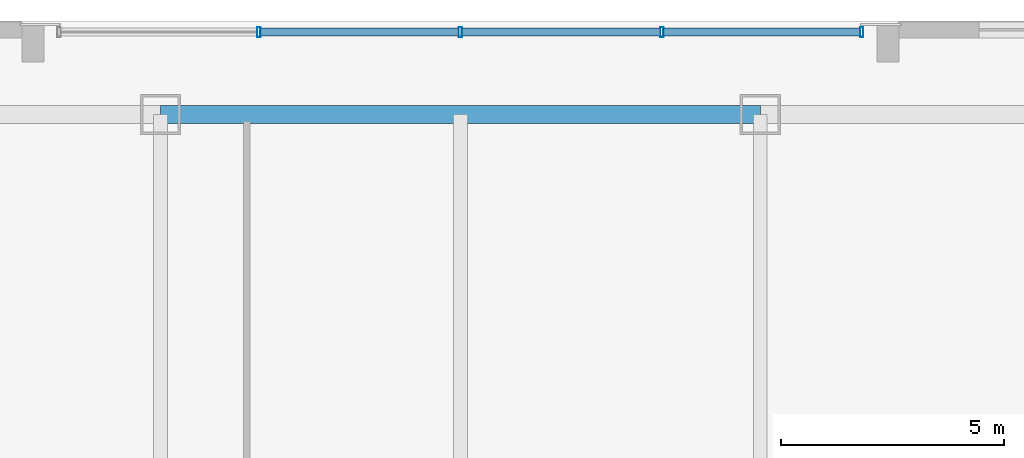
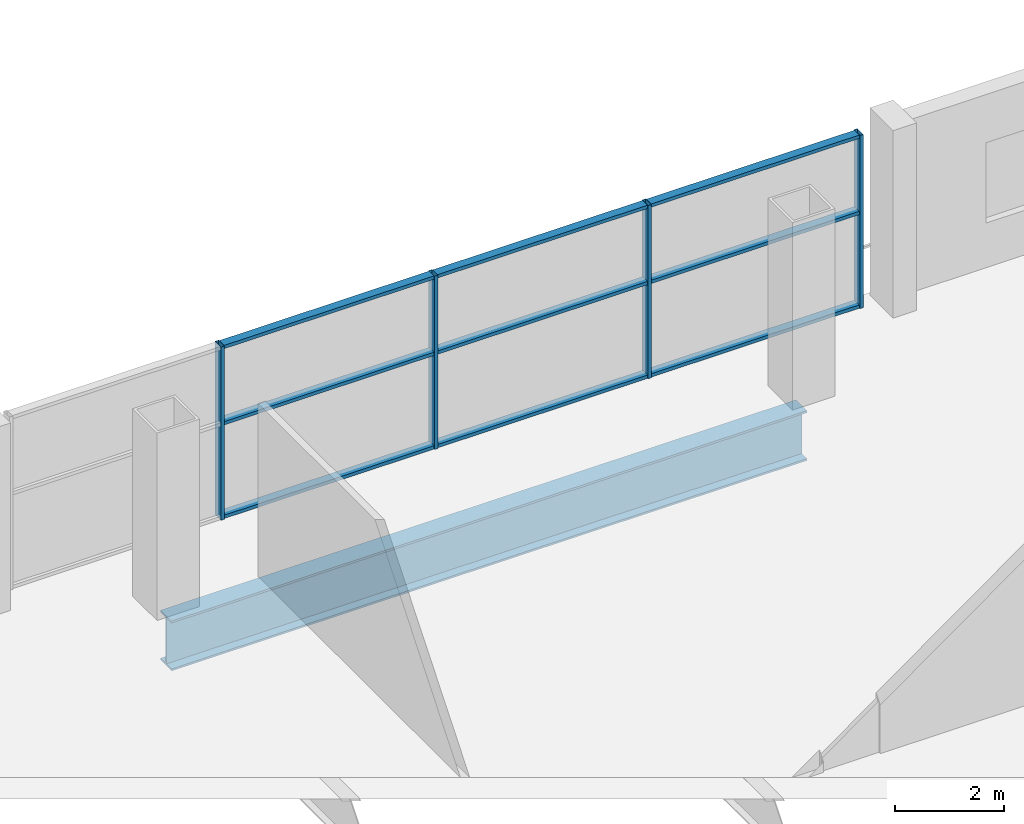
# One storey, part 10 of 21: 13 members, 1 beam, 1 element without a shape of its own.
"""IFC4 building model written with IfcOpenShell, lengths in metres."""

from ifc_helpers import new_model, si_unit, direction, frame, origin, origin_2d, place, context, subcontext, project, spatial, hollow_rectangle, i_section, extrude, material, layer, layer_set, material_profile, profile_set, type_object, element, aggregate, save


model = new_model("IFC4")

# Units and contexts
model_context = context("Model", 3, precision=1e-05, world=origin(), true_north=direction((0.0, 1.0)))
body_context = subcontext(model_context, "Body", "Model", "MODEL_VIEW")
ifc_project = project(units=[si_unit("LENGTHUNIT", "METRE"), si_unit("AREAUNIT", "SQUARE_METRE"), si_unit("VOLUMEUNIT", "CUBIC_METRE"), si_unit("PLANEANGLEUNIT", "RADIAN"), si_unit("MASSUNIT", "GRAM", prefix="KILO")], contexts=[model_context])

# Site, building, storey
site_placement = place(None, origin())
site = spatial("IfcSite", under=ifc_project, at=site_placement, CompositionType="ELEMENT")
building_placement = place(site_placement, origin())
building = spatial("IfcBuilding", under=site, at=building_placement, Name="Qhalaya Broadcast Tower", CompositionType="ELEMENT")
storey_placement = place(building_placement, frame((0.0, 0.0, 13.5)))
storey = spatial("IfcBuildingStorey", under=building, at=storey_placement, Name="L03", CompositionType="ELEMENT", Elevation=13.5)

# Beam
ifc_material_1 = material(Name="Structural Steel ASTM A992 Grade 50", Category="steel")
ifc_material_profile_1 = material_profile(ifc_material_1, i_section(OverallWidth=0.404052734375, OverallDepth=1.117919921875, WebThickness=0.026123046875, FlangeThickness=0.044921875, at=origin_2d()), Name="W44X335")
ifc_profile_set_1 = profile_set([ifc_material_profile_1], Name="Structural Steel ASTM A992 Grade 50")
beam_type = type_object("IfcBeamType", Name="Podium Long-Span Primary Girder PG1", PredefinedType="USERDEFINED", material=ifc_profile_set_1)
beam_placement = place(storey_placement, frame((6.7333984375, 25.89990234375, -0.87890625), z_axis=(-1.0, 0.0, 0.0), x_axis=(0.0, -1.0, 0.0)))
element("IfcBeam", 1, at=beam_placement, inside=storey, type_object=beam_type, Name="L03 PG1 L03-PG-R10", ObjectType="GIRDER", PredefinedType="USERDEFINED", context=body_context, shape_type="SweptSolid", body=[
    extrude(i_section(OverallWidth=0.404052734375, OverallDepth=1.117919921875, WebThickness=0.026123046875, FlangeThickness=0.044921875, at=origin_2d()), origin(), (0.0, 0.0, 1.0), 13.466796875),
])

# Curtain wall, members
ifc_material_2 = material(Name="Solar-Control Low-E Triple Glazing", Category="glass")
ifc_layer = layer(ifc_material_2, 0.219970703125, Name="Solar-Control Low-E Triple Glazing")
ifc_layer_set = layer_set([ifc_layer], Name="Solar-Control Low-E Triple Glazing")
curtain_wall_type = type_object("IfcCurtainWallType", Name="Podium Concourse Triple-Height Glazed Portal CW-01", PredefinedType="NOTDEFINED", material=ifc_layer_set)
curtain_wall_placement = place(storey_placement, origin())
curtain_wall = element("IfcCurtainWall", 2, at=curtain_wall_placement, inside=storey, type_object=curtain_wall_type, Name="L03 Unitised Curtain Wall L03-CW01-N", PredefinedType="NOTDEFINED")
ifc_material_3 = material(Name="Anodised Aluminium 6063-T6", Category="aluminium")
ifc_material_profile_2 = material_profile(ifc_material_3, hollow_rectangle(XDim=0.074951171875, YDim=0.219970703125, WallThickness=0.00390625, at=origin_2d()), Name="ALU-MUL 75x220x4")
ifc_profile_set_2 = profile_set([ifc_material_profile_2], Name="Anodised Aluminium 6063-T6")
member_type_1 = type_object("IfcMemberType", Name="Unitised Curtain-Wall Mullion M01", PredefinedType="MULLION", material=ifc_profile_set_2)
member_1_placement = place(storey_placement, frame((9.012451171875, 27.75, 0.0), z_axis=(0.0, 0.0, 1.0), x_axis=(-1.0, 0.0, 0.0)))
member_1 = element("IfcMember", 3, at=member_1_placement, type_object=member_type_1, Name="CW-01 mullion 1", PredefinedType="MULLION", context=body_context, shape_type="SweptSolid", body=[
    extrude(hollow_rectangle(XDim=0.074951171875, YDim=0.219970703125, WallThickness=0.00390625, at=origin_2d()), origin(), (0.0, 0.0, 1.0), 3.8798828125),
])
member_2_placement = place(storey_placement, frame((4.52490234375, 27.75, 0.0), z_axis=(0.0, 0.0, 1.0), x_axis=(-1.0, 0.0, 0.0)))
member_2 = element("IfcMember", 4, at=member_2_placement, type_object=member_type_1, Name="CW-01 mullion 2", PredefinedType="MULLION", context=body_context, shape_type="SweptSolid", body=[
    extrude(hollow_rectangle(XDim=0.074951171875, YDim=0.219970703125, WallThickness=0.00390625, at=origin_2d()), origin(), (0.0, 0.0, 1.0), 3.8798828125),
])
member_3_placement = place(storey_placement, frame((0.0, 27.75, 0.0), z_axis=(0.0, 0.0, 1.0), x_axis=(-1.0, 0.0, 0.0)))
member_3 = element("IfcMember", 5, at=member_3_placement, type_object=member_type_1, Name="CW-01 mullion 3", PredefinedType="MULLION", context=body_context, shape_type="SweptSolid", body=[
    extrude(hollow_rectangle(XDim=0.074951171875, YDim=0.219970703125, WallThickness=0.00390625, at=origin_2d()), origin(), (0.0, 0.0, 1.0), 3.8798828125),
])
member_4_placement = place(storey_placement, frame((-4.52490234375, 27.75, 0.0), z_axis=(0.0, 0.0, 1.0), x_axis=(-1.0, 0.0, 0.0)))
member_4 = element("IfcMember", 6, at=member_4_placement, type_object=member_type_1, Name="CW-01 mullion 4", PredefinedType="MULLION", context=body_context, shape_type="SweptSolid", body=[
    extrude(hollow_rectangle(XDim=0.074951171875, YDim=0.219970703125, WallThickness=0.00390625, at=origin_2d()), origin(), (0.0, 0.0, 1.0), 3.8798828125),
])
ifc_material_profile_3 = material_profile(ifc_material_3, hollow_rectangle(XDim=0.074951171875, YDim=0.179931640625, WallThickness=0.00390625, at=origin_2d()), Name="ALU-TRN 75x180x4")
ifc_profile_set_3 = profile_set([ifc_material_profile_3], Name="Anodised Aluminium 6063-T6")
member_type_2 = type_object("IfcMemberType", Name="Unitised Curtain-Wall Transom T01", PredefinedType="USERDEFINED", material=ifc_profile_set_3)
member_5_placement = place(storey_placement, frame((8.97509765625, 27.75, 0.03759765625), z_axis=(-1.0, 0.0, 0.0), x_axis=(0.0, 0.0, 1.0)))
member_5 = element("IfcMember", 7, at=member_5_placement, type_object=member_type_2, Name="CW-01 transom 1.1", ObjectType="TRANSOM", PredefinedType="USERDEFINED", context=body_context, shape_type="SweptSolid", body=[
    extrude(hollow_rectangle(XDim=0.074951171875, YDim=0.179931640625, WallThickness=0.00390625, at=origin_2d()), origin(), (0.0, 0.0, 1.0), 4.41259765625),
])
member_6_placement = place(storey_placement, frame((8.97509765625, 27.75, 2.134033203125), z_axis=(-1.0, 0.0, 0.0), x_axis=(0.0, 0.0, 1.0)))
member_6 = element("IfcMember", 8, at=member_6_placement, type_object=member_type_2, Name="CW-01 transom 1.2", ObjectType="TRANSOM", PredefinedType="USERDEFINED", context=body_context, shape_type="SweptSolid", body=[
    extrude(hollow_rectangle(XDim=0.074951171875, YDim=0.179931640625, WallThickness=0.00390625, at=origin_2d()), origin(), (0.0, 0.0, 1.0), 4.41259765625),
])
member_7_placement = place(storey_placement, frame((8.97509765625, 27.75, 3.842529296875), z_axis=(-1.0, 0.0, 0.0), x_axis=(0.0, 0.0, 1.0)))
member_7 = element("IfcMember", 9, at=member_7_placement, type_object=member_type_2, Name="CW-01 transom 1.3", ObjectType="TRANSOM", PredefinedType="USERDEFINED", context=body_context, shape_type="SweptSolid", body=[
    extrude(hollow_rectangle(XDim=0.074951171875, YDim=0.179931640625, WallThickness=0.00390625, at=origin_2d()), origin(), (0.0, 0.0, 1.0), 4.41259765625),
])
member_8_placement = place(storey_placement, frame((4.487548828125, 27.75, 0.03759765625), z_axis=(-1.0, 0.0, 0.0), x_axis=(0.0, 0.0, 1.0)))
member_8 = element("IfcMember", 10, at=member_8_placement, type_object=member_type_2, Name="CW-01 transom 2.1", ObjectType="TRANSOM", PredefinedType="USERDEFINED", context=body_context, shape_type="SweptSolid", body=[
    extrude(hollow_rectangle(XDim=0.074951171875, YDim=0.179931640625, WallThickness=0.00390625, at=origin_2d()), origin(), (0.0, 0.0, 1.0), 4.449951171875),
])
member_9_placement = place(storey_placement, frame((4.487548828125, 27.75, 2.134033203125), z_axis=(-1.0, 0.0, 0.0), x_axis=(0.0, 0.0, 1.0)))
member_9 = element("IfcMember", 11, at=member_9_placement, type_object=member_type_2, Name="CW-01 transom 2.2", ObjectType="TRANSOM", PredefinedType="USERDEFINED", context=body_context, shape_type="SweptSolid", body=[
    extrude(hollow_rectangle(XDim=0.074951171875, YDim=0.179931640625, WallThickness=0.00390625, at=origin_2d()), origin(), (0.0, 0.0, 1.0), 4.449951171875),
])
member_10_placement = place(storey_placement, frame((4.487548828125, 27.75, 3.842529296875), z_axis=(-1.0, 0.0, 0.0), x_axis=(0.0, 0.0, 1.0)))
member_10 = element("IfcMember", 12, at=member_10_placement, type_object=member_type_2, Name="CW-01 transom 2.3", ObjectType="TRANSOM", PredefinedType="USERDEFINED", context=body_context, shape_type="SweptSolid", body=[
    extrude(hollow_rectangle(XDim=0.074951171875, YDim=0.179931640625, WallThickness=0.00390625, at=origin_2d()), origin(), (0.0, 0.0, 1.0), 4.449951171875),
])
member_11_placement = place(storey_placement, frame((-0.03759765625, 27.75, 0.03759765625), z_axis=(-1.0, 0.0, 0.0), x_axis=(0.0, 0.0, 1.0)))
member_11 = element("IfcMember", 13, at=member_11_placement, type_object=member_type_2, Name="CW-01 transom 3.1", ObjectType="TRANSOM", PredefinedType="USERDEFINED", context=body_context, shape_type="SweptSolid", body=[
    extrude(hollow_rectangle(XDim=0.074951171875, YDim=0.179931640625, WallThickness=0.00390625, at=origin_2d()), origin(), (0.0, 0.0, 1.0), 4.449951171875),
])
member_12_placement = place(storey_placement, frame((-0.03759765625, 27.75, 2.134033203125), z_axis=(-1.0, 0.0, 0.0), x_axis=(0.0, 0.0, 1.0)))
member_12 = element("IfcMember", 14, at=member_12_placement, type_object=member_type_2, Name="CW-01 transom 3.2", ObjectType="TRANSOM", PredefinedType="USERDEFINED", context=body_context, shape_type="SweptSolid", body=[
    extrude(hollow_rectangle(XDim=0.074951171875, YDim=0.179931640625, WallThickness=0.00390625, at=origin_2d()), origin(), (0.0, 0.0, 1.0), 4.449951171875),
])
member_13_placement = place(storey_placement, frame((-0.03759765625, 27.75, 3.842529296875), z_axis=(-1.0, 0.0, 0.0), x_axis=(0.0, 0.0, 1.0)))
member_13 = element("IfcMember", 15, at=member_13_placement, type_object=member_type_2, Name="CW-01 transom 3.3", ObjectType="TRANSOM", PredefinedType="USERDEFINED", context=body_context, shape_type="SweptSolid", body=[
    extrude(hollow_rectangle(XDim=0.074951171875, YDim=0.179931640625, WallThickness=0.00390625, at=origin_2d()), origin(), (0.0, 0.0, 1.0), 4.449951171875),
])
aggregate(curtain_wall, [member_1, member_2, member_3, member_4, member_5, member_6, member_7, member_8, member_9, member_10, member_11, member_12, member_13])

save(model, "model.ifc")
